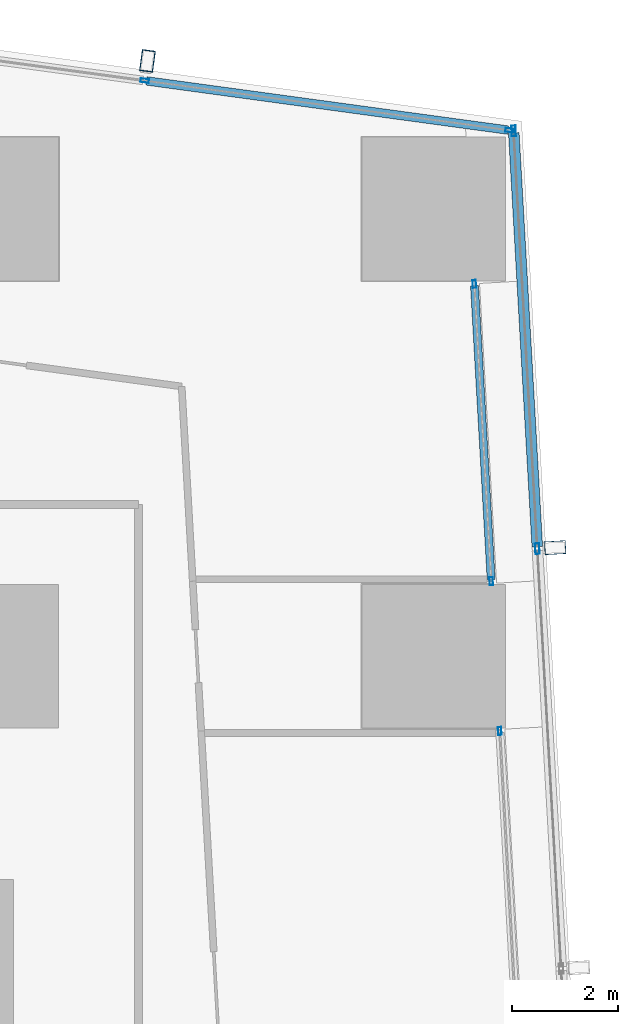
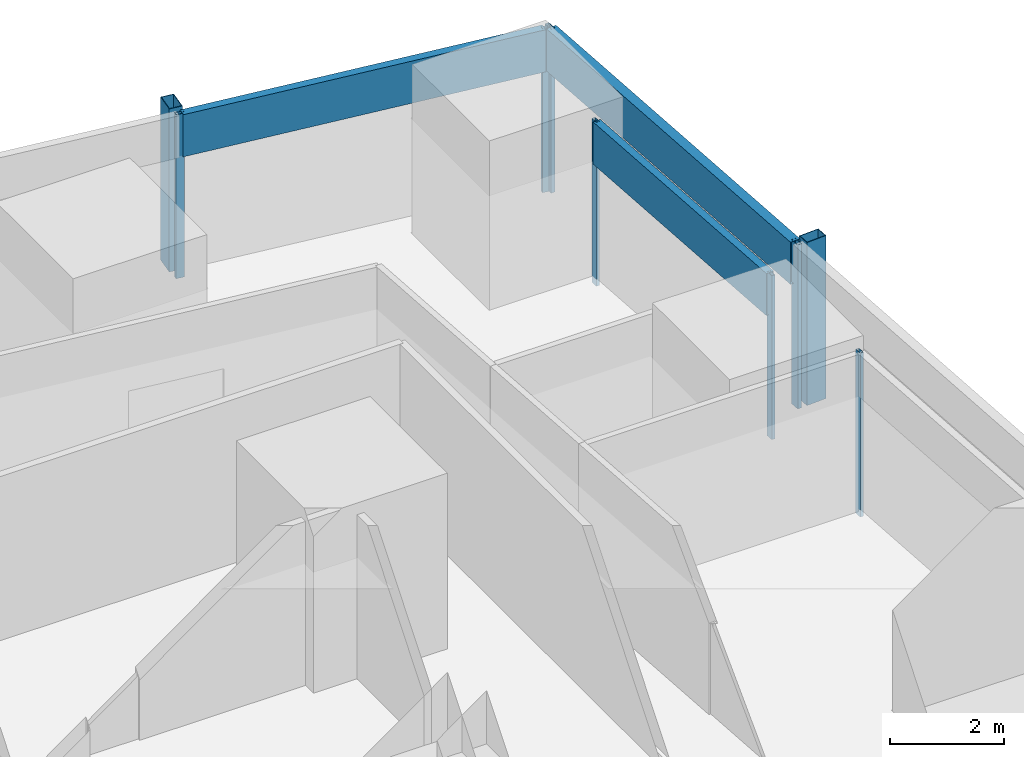
# One storey, part 21 of 36: 12 members, 4 elements without a shape of their own.
"""IFC4 building model written with IfcOpenShell, lengths in metres."""

from ifc_helpers import new_model, si_unit, direction, frame, origin, origin_2d, place, context, subcontext, project, spatial, hollow_rectangle, extrude, material, material_profile, profile_set, type_object, element, aggregate, save


model = new_model("IFC4")

# Units and contexts
model_context = context("Model", 3, precision=1e-05, world=origin(), true_north=direction((0.0, 1.0)))
body_context = subcontext(model_context, "Body", "Model", "MODEL_VIEW")
ifc_project = project(units=[si_unit("LENGTHUNIT", "METRE"), si_unit("AREAUNIT", "SQUARE_METRE"), si_unit("VOLUMEUNIT", "CUBIC_METRE"), si_unit("PLANEANGLEUNIT", "RADIAN"), si_unit("MASSUNIT", "GRAM", prefix="KILO")], contexts=[model_context])

# Site, building, storey
site_placement = place(None, origin())
site = spatial("IfcSite", under=ifc_project, at=site_placement, CompositionType="ELEMENT")
building_placement = place(site_placement, origin())
building = spatial("IfcBuilding", under=site, at=building_placement, Name="Rekha Terrace Tower", CompositionType="ELEMENT")
storey_placement = place(building_placement, frame((0.0, 0.0, 172.699951171875)))
storey = spatial("IfcBuildingStorey", under=building, at=storey_placement, Name="L43", CompositionType="ELEMENT", Elevation=172.699951171875)

# Curtain wall, member
ifc_material_1 = material(Name="Aluminium framing", Category="aluminium")
curtain_wall_type_1 = type_object("IfcCurtainWallType", Name="CW2 double skin outer glazing", PredefinedType="USERDEFINED", material=ifc_material_1)
curtain_wall_1_placement = place(storey_placement, origin())
curtain_wall_1 = element("IfcCurtainWall", 1, at=curtain_wall_1_placement, inside=storey, type_object=curtain_wall_type_1, Name="CW2 double skin outer glazing", ObjectType="DOUBLE SKIN OUTER GLAZING", PredefinedType="USERDEFINED")
ifc_material_2 = material(Name="Steel S355 with fluorocarbon finish", Category="steel")
ifc_material_profile_1 = material_profile(ifc_material_2, hollow_rectangle(XDim=0.25, YDim=0.39990234375, WallThickness=0.012451171875, at=origin_2d()), Name="RHS400x250x12.5")
ifc_profile_set_1 = profile_set([ifc_material_profile_1], Name="Steel S355 with fluorocarbon finish")
member_type_1 = type_object("IfcMemberType", Name="BL1 facade blade RHS 400 x 250", PredefinedType="USERDEFINED", material=ifc_profile_set_1)
member_1_placement = place(storey_placement, frame((61.080078125, 52.4375, 0.02001953125), z_axis=(0.0, 0.0, 1.0), x_axis=(-0.056673619809, 0.998392758797, 0.0)))
member_1 = element("IfcMember", 2, at=member_1_placement, type_object=member_type_1, Name="Facade blade", ObjectType="FACADE BLADE", PredefinedType="USERDEFINED", context=body_context, shape_type="SweptSolid", body=[
    extrude(hollow_rectangle(XDim=0.25, YDim=0.39990234375, WallThickness=0.012451171875, at=origin_2d()), origin(), (0.0, 0.0, 1.0), 3.47998046875),
])

curtain_wall_type_2 = type_object("IfcCurtainWallType", Name="CW3 north unitised glazing", PredefinedType="USERDEFINED", material=ifc_material_1)
curtain_wall_2_placement = place(storey_placement, origin())
curtain_wall_2 = element("IfcCurtainWall", 3, at=curtain_wall_2_placement, inside=storey, type_object=curtain_wall_type_2, Name="CW3 unitised curtain wall", ObjectType="UNITISED CURTAIN WALL", PredefinedType="USERDEFINED")
member_2_placement = place(storey_placement, frame((53.419921875, 61.583251953125, 0.02001953125), z_axis=(0.0, 0.0, 1.0), x_axis=(-0.990867309488, 0.134840553943, 0.0)))
member_2 = element("IfcMember", 4, at=member_2_placement, type_object=member_type_1, Name="Facade blade", ObjectType="FACADE BLADE", PredefinedType="USERDEFINED", context=body_context, shape_type="SweptSolid", body=[
    extrude(hollow_rectangle(XDim=0.25, YDim=0.39990234375, WallThickness=0.012451171875, at=origin_2d()), origin(), (0.0, 0.0, 1.0), 3.47998046875),
])

curtain_wall_type_3 = type_object("IfcCurtainWallType", Name="CW1 double skin inner glazing", PredefinedType="USERDEFINED", material=ifc_material_1)
curtain_wall_3_placement = place(storey_placement, origin())
curtain_wall_3 = element("IfcCurtainWall", 5, at=curtain_wall_3_placement, inside=storey, type_object=curtain_wall_type_3, Name="CW1 double skin inner glazing", ObjectType="DOUBLE SKIN INNER GLAZING", PredefinedType="USERDEFINED")
ifc_material_3 = material(Name="Aluminium mullion section", Category="aluminium")
ifc_material_profile_2 = material_profile(ifc_material_3, hollow_rectangle(XDim=0.06494140625, YDim=0.14990234375, WallThickness=0.00390625, at=origin_2d()), Name="AL RHS 65x150")
ifc_profile_set_2 = profile_set([ifc_material_profile_2], Name="Aluminium mullion section")
member_type_2 = type_object("IfcMemberType", Name="CW1 mullion RHS 65 x 150", PredefinedType="MULLION", material=ifc_profile_set_2)
member_3_placement = place(storey_placement, frame((60.03857421875, 48.9921875, 0.0), z_axis=(0.0, 0.0, 1.0), x_axis=(-0.998392782918, -0.056673194877, 0.0)))
member_3 = element("IfcMember", 6, at=member_3_placement, type_object=member_type_2, Name="CW1 mullion 3", PredefinedType="MULLION", context=body_context, shape_type="SweptSolid", body=[
    extrude(hollow_rectangle(XDim=0.06494140625, YDim=0.14990234375, WallThickness=0.00390625, at=origin_2d()), origin(), (0.0, 0.0, 1.0), 3.5),
])
aggregate(curtain_wall_3, [member_3])

# Curtain wall, members
curtain_wall_4_placement = place(storey_placement, origin())
curtain_wall_4 = element("IfcCurtainWall", 7, at=curtain_wall_4_placement, inside=storey, type_object=curtain_wall_type_3, Name="CW1 double skin inner glazing", ObjectType="DOUBLE SKIN INNER GLAZING", PredefinedType="USERDEFINED")
member_4_placement = place(storey_placement, frame((59.87890625, 51.807861328125, 0.0), z_axis=(0.0, 0.0, 1.0), x_axis=(-0.998392782915, -0.056673194929, 0.0)))
member_4 = element("IfcMember", 8, at=member_4_placement, type_object=member_type_2, Name="CW1 mullion 1", PredefinedType="MULLION", context=body_context, shape_type="SweptSolid", body=[
    extrude(hollow_rectangle(XDim=0.06494140625, YDim=0.14990234375, WallThickness=0.00390625, at=origin_2d()), origin(), (0.0, 0.0, 1.0), 3.5),
])
member_5_placement = place(storey_placement, frame((59.561767578125, 57.39208984375, 0.0), z_axis=(0.0, 0.0, 1.0), x_axis=(-0.998392782915, -0.056673194929, 0.0)))
member_5 = element("IfcMember", 9, at=member_5_placement, type_object=member_type_2, Name="CW1 mullion 2", PredefinedType="MULLION", context=body_context, shape_type="SweptSolid", body=[
    extrude(hollow_rectangle(XDim=0.06494140625, YDim=0.14990234375, WallThickness=0.00390625, at=origin_2d()), origin(), (0.0, 0.0, 1.0), 3.5),
])
ifc_material_4 = material(Name="Insulated aluminium spandrel box", Category="aluminium")
ifc_material_profile_3 = material_profile(ifc_material_4, hollow_rectangle(XDim=0.14990234375, YDim=0.89990234375, WallThickness=0.0029296875, at=origin_2d()), Name="AL SPANDREL BOX 150x900")
ifc_profile_set_3 = profile_set([ifc_material_profile_3], Name="Insulated aluminium spandrel box")
member_type_3 = type_object("IfcMemberType", Name="CW1 spandrel transom 150 x 900", PredefinedType="USERDEFINED", material=ifc_profile_set_3)
member_6_placement = place(storey_placement, frame((59.876953125, 51.84033203125, 3.050048828125), z_axis=(-0.056658660601, 0.998393607842, 0.0), x_axis=(-0.998393607842, -0.056658660601, 0.0)))
member_6 = element("IfcMember", 10, at=member_6_placement, type_object=member_type_3, Name="CW1 spandrel transom 1", ObjectType="TRANSOM", PredefinedType="USERDEFINED", context=body_context, shape_type="SweptSolid", body=[
    extrude(hollow_rectangle(XDim=0.14990234375, YDim=0.89990234375, WallThickness=0.0029296875, at=origin_2d()), origin(), (0.0, 0.0, 1.0), 5.5283203125),
])
aggregate(curtain_wall_4, [member_4, member_5, member_6])

# Member
ifc_material_profile_4 = material_profile(ifc_material_3, hollow_rectangle(XDim=0.080078125, YDim=0.199951171875, WallThickness=0.00390625, at=origin_2d()), Name="AL RHS 80x200")
ifc_profile_set_4 = profile_set([ifc_material_profile_4], Name="Aluminium mullion section")
member_type_4 = type_object("IfcMemberType", Name="CW2 mullion RHS 80 x 200", PredefinedType="MULLION", material=ifc_profile_set_4)
member_7_placement = place(storey_placement, frame((60.74560546875, 52.41845703125, 0.0), z_axis=(0.0, 0.0, 1.0), x_axis=(-0.998392782919, -0.05667319486, 0.0)))
member_7 = element("IfcMember", 11, at=member_7_placement, type_object=member_type_4, Name="CW2 mullion 4", PredefinedType="MULLION", context=body_context, shape_type="SweptSolid", body=[
    extrude(hollow_rectangle(XDim=0.080078125, YDim=0.199951171875, WallThickness=0.00390625, at=origin_2d()), origin(), (0.0, 0.0, 1.0), 3.5),
])

member_8_placement = place(storey_placement, frame((60.300048828125, 60.269287109375, 0.0), z_axis=(0.0, 0.0, 1.0), x_axis=(-0.998392782919, -0.05667319486, 0.0)))
member_8 = element("IfcMember", 12, at=member_8_placement, type_object=member_type_4, Name="CW2 mullion 5", PredefinedType="MULLION", context=body_context, shape_type="SweptSolid", body=[
    extrude(hollow_rectangle(XDim=0.080078125, YDim=0.199951171875, WallThickness=0.00390625, at=origin_2d()), origin(), (0.0, 0.0, 1.0), 3.5),
])

ifc_material_profile_5 = material_profile(ifc_material_4, hollow_rectangle(XDim=0.199951171875, YDim=0.89990234375, WallThickness=0.0029296875, at=origin_2d()), Name="AL SPANDREL BOX 200x900")
ifc_profile_set_5 = profile_set([ifc_material_profile_5], Name="Insulated aluminium spandrel box")
member_type_5 = type_object("IfcMemberType", Name="CW2 spandrel transom 200 x 900", PredefinedType="USERDEFINED", material=ifc_profile_set_5)
member_9_placement = place(storey_placement, frame((60.743408203125, 52.45849609375, 3.050048828125), z_axis=(-0.05667908121, 0.998392448766, 0.0), x_axis=(-0.998392448766, -0.05667908121, 0.0)))
member_9 = element("IfcMember", 13, at=member_9_placement, type_object=member_type_5, Name="CW2 spandrel transom 4", ObjectType="TRANSOM", PredefinedType="USERDEFINED", context=body_context, shape_type="SweptSolid", body=[
    extrude(hollow_rectangle(XDim=0.199951171875, YDim=0.89990234375, WallThickness=0.0029296875, at=origin_2d()), origin(), (0.0, 0.0, 1.0), 7.783447265625),
])

aggregate(curtain_wall_1, [member_7, member_8, member_9, member_1])

ifc_material_profile_6 = material_profile(ifc_material_3, hollow_rectangle(XDim=0.070068359375, YDim=0.159912109375, WallThickness=0.00390625, at=origin_2d()), Name="AL RHS 70x160")
ifc_profile_set_6 = profile_set([ifc_material_profile_6], Name="Aluminium mullion section")
member_type_6 = type_object("IfcMemberType", Name="CW3 mullion RHS 70 x 160", PredefinedType="MULLION", material=ifc_profile_set_6)
member_10_placement = place(storey_placement, frame((60.22509765625, 60.27880859375, 0.0), z_axis=(0.0, 0.0, 1.0), x_axis=(-0.134840840416, -0.990867270504, 0.0)))
member_10 = element("IfcMember", 14, at=member_10_placement, type_object=member_type_6, Name="CW3 mullion 1", PredefinedType="MULLION", context=body_context, shape_type="SweptSolid", body=[
    extrude(hollow_rectangle(XDim=0.070068359375, YDim=0.159912109375, WallThickness=0.00390625, at=origin_2d()), origin(), (0.0, 0.0, 1.0), 3.5),
])

member_11_placement = place(storey_placement, frame((53.369384765625, 61.211669921875, 0.0), z_axis=(0.0, 0.0, 1.0), x_axis=(-0.134840840416, -0.990867270504, 0.0)))
member_11 = element("IfcMember", 15, at=member_11_placement, type_object=member_type_6, Name="CW3 mullion 2", PredefinedType="MULLION", context=body_context, shape_type="SweptSolid", body=[
    extrude(hollow_rectangle(XDim=0.070068359375, YDim=0.159912109375, WallThickness=0.00390625, at=origin_2d()), origin(), (0.0, 0.0, 1.0), 3.5),
])

ifc_material_profile_7 = material_profile(ifc_material_4, hollow_rectangle(XDim=0.159912109375, YDim=0.89990234375, WallThickness=0.0029296875, at=origin_2d()), Name="AL SPANDREL BOX 160x900")
ifc_profile_set_7 = profile_set([ifc_material_profile_7], Name="Insulated aluminium spandrel box")
member_type_7 = type_object("IfcMemberType", Name="CW3 spandrel transom 160 x 900", PredefinedType="USERDEFINED", material=ifc_profile_set_7)
member_12_placement = place(storey_placement, frame((60.190185546875, 60.283447265625, 3.050048828125), z_axis=(-0.990865276141, 0.134855495022, 0.0), x_axis=(-0.134855495022, -0.990865276141, 0.0)))
member_12 = element("IfcMember", 16, at=member_12_placement, type_object=member_type_7, Name="CW3 spandrel transom 1", ObjectType="TRANSOM", PredefinedType="USERDEFINED", context=body_context, shape_type="SweptSolid", body=[
    extrude(hollow_rectangle(XDim=0.159912109375, YDim=0.89990234375, WallThickness=0.0029296875, at=origin_2d()), origin(), (0.0, 0.0, 1.0), 6.8486328125),
])

aggregate(curtain_wall_2, [member_10, member_11, member_12, member_2])

save(model, "model.ifc")
